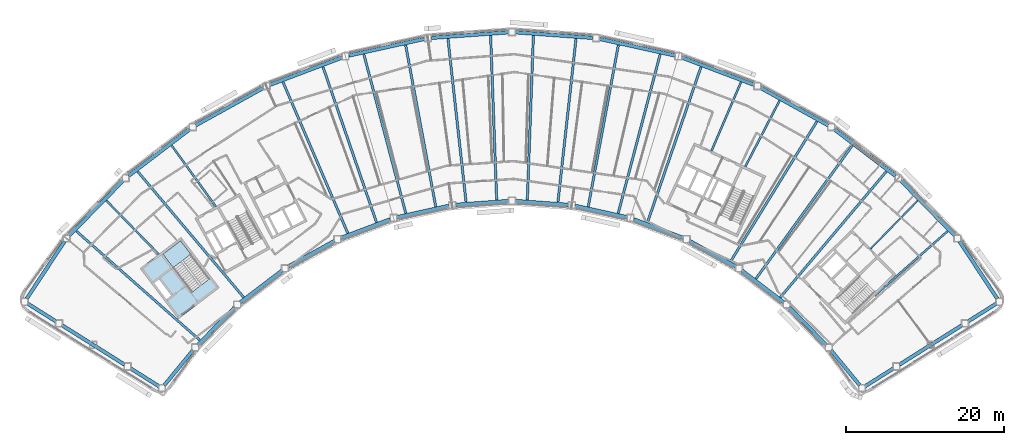
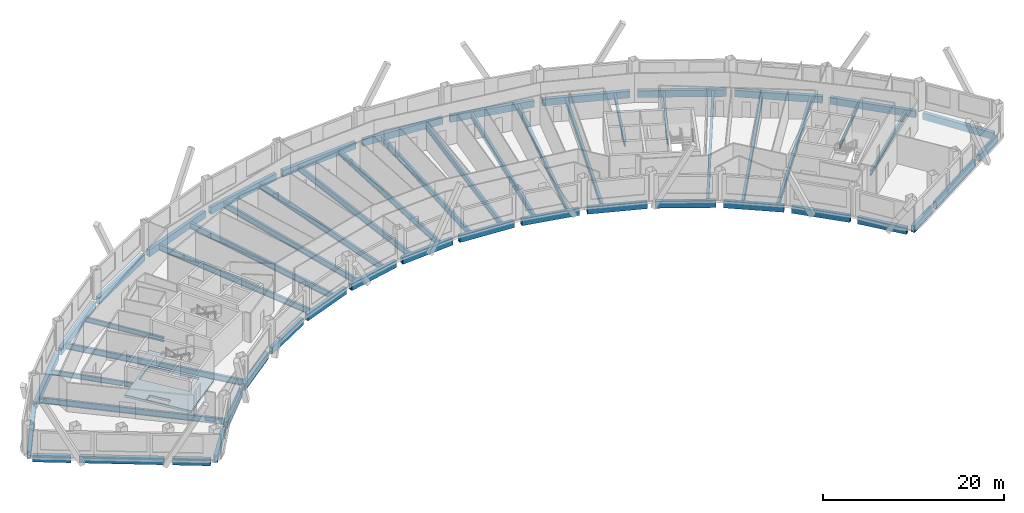
# One storey, part 3 of 14: 56 beams, 2 slabs, 1 element without a shape of its own.
"""IFC4 building model written with IfcOpenShell, lengths in metres."""

from ifc_helpers import new_model, si_unit, direction, frame, origin, origin_2d, place, context, subcontext, project, spatial, polyline, hollow_rectangle, i_section, outline, extrude, material, layer, layer_set, material_profile, profile_set, type_object, element, aggregate, save


model = new_model("IFC4")

# Units and contexts
model_context = context("Model", 3, precision=1e-05, world=origin(), true_north=direction((0.0, 1.0)))
body_context = subcontext(model_context, "Body", "Model", "MODEL_VIEW")
ifc_project = project(units=[si_unit("LENGTHUNIT", "METRE"), si_unit("AREAUNIT", "SQUARE_METRE"), si_unit("VOLUMEUNIT", "CUBIC_METRE"), si_unit("PLANEANGLEUNIT", "RADIAN"), si_unit("MASSUNIT", "GRAM", prefix="KILO")], contexts=[model_context])

# Site, building, storey
site_placement = place(None, origin())
site = spatial("IfcSite", under=ifc_project, at=site_placement, CompositionType="ELEMENT")
building_placement = place(site_placement, origin())
building = spatial("IfcBuilding", under=site, at=building_placement, Name="Tuul Gate Civic Tower", CompositionType="ELEMENT")
storey_placement = place(building_placement, frame((0.0, 0.0, 217.89990234375)))
storey = spatial("IfcBuildingStorey", under=building, at=storey_placement, Name="Level 49", CompositionType="ELEMENT", Elevation=217.89990234375)

# Beams
ifc_material_1 = material(Name="Steel S355", Category="steel")
ifc_material_profile_1 = material_profile(ifc_material_1, i_section(OverallWidth=0.199951171875, OverallDepth=0.5, WebThickness=0.010009765625, FlangeThickness=0.01611328125, at=origin_2d()), Name="PG500x200x10x16")
ifc_profile_set_1 = profile_set([ifc_material_profile_1], Name="Steel S355")
beam_type_1 = type_object("IfcBeamType", Name="STR-FLOOR BEAM-PG500x200x10x16", PredefinedType="BEAM", material=ifc_profile_set_1)
beam_1_placement = place(storey_placement, frame((51.3310546875, -8.854248046875, -0.5498046875), z_axis=(0.698691017766, 0.715423554052, 0.0), x_axis=(-0.715423554052, 0.698691017766, 0.0)))
element("IfcBeam", 1, at=beam_1_placement, inside=storey, type_object=beam_type_1, Name="Floor beam", PredefinedType="BEAM", context=body_context, shape_type="SweptSolid", body=[
    extrude(i_section(OverallWidth=0.199951171875, OverallDepth=0.5, WebThickness=0.010009765625, FlangeThickness=0.01611328125, at=origin_2d()), origin(), (0.0, 0.0, 1.0), 8.50634765625),
])
ifc_material_2 = material(Name="Steel S355", Category="steel")
ifc_material_profile_2 = material_profile(ifc_material_2, i_section(OverallWidth=0.25, OverallDepth=0.64990234375, WebThickness=0.011962890625, FlangeThickness=0.02001953125, at=origin_2d()), Name="PG650x250x12x20")
ifc_profile_set_2 = profile_set([ifc_material_profile_2], Name="Steel S355")
beam_type_2 = type_object("IfcBeamType", Name="STR-FLOOR BEAM-PG650x250x12x20", PredefinedType="BEAM", material=ifc_profile_set_2)
beam_2_placement = place(storey_placement, frame((51.833740234375, -14.790771484375, -0.625), z_axis=(0.749448461943, 0.662062688037, 0.0), x_axis=(-0.662062688037, 0.749448461943, 0.0)))
element("IfcBeam", 2, at=beam_2_placement, inside=storey, type_object=beam_type_2, Name="Floor beam", PredefinedType="BEAM", context=body_context, shape_type="SweptSolid", body=[
    extrude(i_section(OverallWidth=0.25, OverallDepth=0.64990234375, WebThickness=0.011962890625, FlangeThickness=0.02001953125, at=origin_2d()), origin(), (0.0, 0.0, 1.0), 12.31787109375),
])
beam_3_placement = place(storey_placement, frame((35.4609375, 1.528564453125, -0.625), z_axis=(0.460792486789, 0.887507906511, 0.0), x_axis=(-0.887507906511, 0.460792486789, 0.0)))
element("IfcBeam", 3, at=beam_3_placement, inside=storey, type_object=beam_type_2, Name="Floor beam", PredefinedType="BEAM", context=body_context, shape_type="SweptSolid", body=[
    extrude(i_section(OverallWidth=0.25, OverallDepth=0.64990234375, WebThickness=0.011962890625, FlangeThickness=0.02001953125, at=origin_2d()), origin(), (0.0, 0.0, 1.0), 9.4140625),
])
beam_4_placement = place(storey_placement, frame((31.184814453125, 3.5224609375, -0.625), z_axis=(0.394202008704, 0.919023817066, 0.0), x_axis=(-0.919023817066, 0.394202008704, 0.0)))
element("IfcBeam", 4, at=beam_4_placement, inside=storey, type_object=beam_type_2, Name="Floor beam", PredefinedType="BEAM", context=body_context, shape_type="SweptSolid", body=[
    extrude(i_section(OverallWidth=0.25, OverallDepth=0.64990234375, WebThickness=0.011962890625, FlangeThickness=0.02001953125, at=origin_2d()), origin(), (0.0, 0.0, 1.0), 9.48388671875),
])
beam_5_placement = place(storey_placement, frame((-31.535888671875, -3.523193359375, -0.625), z_axis=(-0.586084023539, 0.810250280686, 0.0), x_axis=(-0.810250280686, -0.586084023539, 0.0)))
element("IfcBeam", 5, at=beam_5_placement, inside=storey, type_object=beam_type_2, Name="Floor beam", PredefinedType="BEAM", context=body_context, shape_type="SweptSolid", body=[
    extrude(i_section(OverallWidth=0.25, OverallDepth=0.64990234375, WebThickness=0.011962890625, FlangeThickness=0.02001953125, at=origin_2d()), origin(), (0.0, 0.0, 1.0), 9.53515625),
])
beam_6_placement = place(storey_placement, frame((-38.757568359375, -9.564697265625, -0.625), z_axis=(-0.698678959674, 0.715435329928, 0.0), x_axis=(-0.715435329928, -0.698678959674, 0.0)))
element("IfcBeam", 6, at=beam_6_placement, inside=storey, type_object=beam_type_2, Name="Floor beam", PredefinedType="BEAM", context=body_context, shape_type="SweptSolid", body=[
    extrude(i_section(OverallWidth=0.25, OverallDepth=0.64990234375, WebThickness=0.011962890625, FlangeThickness=0.02001953125, at=origin_2d()), origin(), (0.0, 0.0, 1.0), 9.499755859375),
])
ifc_material_3 = material(Name="Steel S355", Category="steel")
ifc_material_profile_3 = material_profile(ifc_material_3, i_section(OverallWidth=0.300048828125, OverallDepth=0.800048828125, WebThickness=0.013916015625, FlangeThickness=0.02490234375, at=origin_2d()), Name="PG800x300x14x25")
ifc_profile_set_3 = profile_set([ifc_material_profile_3], Name="Steel S355")
beam_type_3 = type_object("IfcBeamType", Name="STR-FLOOR BEAM-PG800x300x14x25", PredefinedType="BEAM", material=ifc_profile_set_3)
beam_7_placement = place(storey_placement, frame((39.8974609375, -15.008056640625, -0.699951171875), z_axis=(0.644132135775, 0.764914238109, 0.0), x_axis=(-0.764914238109, 0.644132135775, 0.0)))
element("IfcBeam", 7, at=beam_7_placement, inside=storey, type_object=beam_type_3, Name="Floor beam", PredefinedType="BEAM", context=body_context, shape_type="SweptSolid", body=[
    extrude(i_section(OverallWidth=0.300048828125, OverallDepth=0.800048828125, WebThickness=0.013916015625, FlangeThickness=0.02490234375, at=origin_2d()), origin(), (0.0, 0.0, 1.0), 20.82568359375),
])
beam_8_placement = place(storey_placement, frame((36.80908203125, -12.656494140625, -0.699951171875), z_axis=(0.586087172263, 0.810248003089, 0.0), x_axis=(-0.810248003089, 0.586087172263, 0.0)))
element("IfcBeam", 8, at=beam_8_placement, inside=storey, type_object=beam_type_3, Name="Floor beam", PredefinedType="BEAM", context=body_context, shape_type="SweptSolid", body=[
    extrude(i_section(OverallWidth=0.300048828125, OverallDepth=0.800048828125, WebThickness=0.013916015625, FlangeThickness=0.02490234375, at=origin_2d()), origin(), (0.0, 0.0, 1.0), 20.806884765625),
])
beam_9_placement = place(storey_placement, frame((33.605712890625, -10.46533203125, -0.699951171875), z_axis=(0.524856706834, 0.851190599861, 0.0), x_axis=(-0.851190599861, 0.524856706834, 0.0)))
element("IfcBeam", 9, at=beam_9_placement, inside=storey, type_object=beam_type_3, Name="Floor beam", PredefinedType="BEAM", context=body_context, shape_type="SweptSolid", body=[
    extrude(i_section(OverallWidth=0.300048828125, OverallDepth=0.800048828125, WebThickness=0.013916015625, FlangeThickness=0.02490234375, at=origin_2d()), origin(), (0.0, 0.0, 1.0), 20.82275390625),
])
beam_10_placement = place(storey_placement, frame((23.0859375, -5.52294921875, -0.699951171875), z_axis=(0.325486974479, 0.945546524209, 0.0), x_axis=(-0.945546524209, 0.325486974479, 0.0)))
element("IfcBeam", 10, at=beam_10_placement, inside=storey, type_object=beam_type_3, Name="Floor beam", PredefinedType="BEAM", context=body_context, shape_type="SweptSolid", body=[
    extrude(i_section(OverallWidth=0.300048828125, OverallDepth=0.800048828125, WebThickness=0.013916015625, FlangeThickness=0.02490234375, at=origin_2d()), origin(), (0.0, 0.0, 1.0), 20.809326171875),
])
beam_11_placement = place(storey_placement, frame((19.37841796875, -4.3759765625, -0.699951171875), z_axis=(0.255007612054, 0.966939045542, 0.0), x_axis=(-0.966939045542, 0.255007612054, 0.0)))
element("IfcBeam", 11, at=beam_11_placement, inside=storey, type_object=beam_type_3, Name="Floor beam", PredefinedType="BEAM", context=body_context, shape_type="SweptSolid", body=[
    extrude(i_section(OverallWidth=0.300048828125, OverallDepth=0.800048828125, WebThickness=0.013916015625, FlangeThickness=0.02490234375, at=origin_2d()), origin(), (0.0, 0.0, 1.0), 20.8173828125),
])
beam_12_placement = place(storey_placement, frame((15.58837890625, -3.540771484375, -0.699951171875), z_axis=(0.1831360046, 0.983087587054, 0.0), x_axis=(-0.983087587054, 0.1831360046, 0.0)))
element("IfcBeam", 12, at=beam_12_placement, inside=storey, type_object=beam_type_3, Name="Floor beam", PredefinedType="BEAM", context=body_context, shape_type="SweptSolid", body=[
    extrude(i_section(OverallWidth=0.300048828125, OverallDepth=0.800048828125, WebThickness=0.013916015625, FlangeThickness=0.02490234375, at=origin_2d()), origin(), (0.0, 0.0, 1.0), 20.811279296875),
])
beam_13_placement = place(storey_placement, frame((11.7509765625, -2.960693359375, -0.699951171875), z_axis=(0.110288630292, 0.993899601584, 0.0), x_axis=(-0.993899601584, 0.110288630292, 0.0)))
element("IfcBeam", 13, at=beam_13_placement, inside=storey, type_object=beam_type_3, Name="Floor beam", PredefinedType="BEAM", context=body_context, shape_type="SweptSolid", body=[
    extrude(i_section(OverallWidth=0.300048828125, OverallDepth=0.800048828125, WebThickness=0.013916015625, FlangeThickness=0.02490234375, at=origin_2d()), origin(), (0.0, 0.0, 1.0), 20.81494140625),
])
for number, where, z_axis, x_axis, name in (
    (14, (7.880126953125, -2.679931640625, -0.699951171875), (0.036833774102, 0.999321406298, 0.0), (-0.999321406298, 0.036833774102, 0.0), "Floor beam"),
    (15, (3.99951171875, -2.679931640625, -0.699951171875), (-0.036833774102, 0.999321406298, 0.0), (-0.999321406298, -0.036833774102, 0.0), "Floor beam"),
):
    element("IfcBeam", number, at=place(storey_placement, frame(where, z_axis=z_axis, x_axis=x_axis)), inside=storey, type_object=beam_type_3, Name=name, PredefinedType="BEAM", context=body_context, shape_type="SweptSolid", body=[
        extrude(i_section(OverallWidth=0.300048828125, OverallDepth=0.800048828125, WebThickness=0.013916015625, FlangeThickness=0.02490234375, at=origin_2d()), origin(), (0.0, 0.0, 1.0), 20.8125),
    ])
beam_14_placement = place(storey_placement, frame((0.128662109375, -2.960693359375, -0.699951171875), z_axis=(-0.110287344613, 0.993899744249, 0.0), x_axis=(-0.993899744249, -0.110287344613, 0.0)))
element("IfcBeam", 16, at=beam_14_placement, inside=storey, type_object=beam_type_3, Name="Floor beam", PredefinedType="BEAM", context=body_context, shape_type="SweptSolid", body=[
    extrude(i_section(OverallWidth=0.300048828125, OverallDepth=0.800048828125, WebThickness=0.013916015625, FlangeThickness=0.02490234375, at=origin_2d()), origin(), (0.0, 0.0, 1.0), 20.815185546875),
])
beam_15_placement = place(storey_placement, frame((-3.708740234375, -3.540771484375, -0.699951171875), z_axis=(-0.183133892551, 0.983087980498, 0.0), x_axis=(-0.983087980498, -0.183133892551, 0.0)))
element("IfcBeam", 17, at=beam_15_placement, inside=storey, type_object=beam_type_3, Name="Floor beam", PredefinedType="BEAM", context=body_context, shape_type="SweptSolid", body=[
    extrude(i_section(OverallWidth=0.300048828125, OverallDepth=0.800048828125, WebThickness=0.013916015625, FlangeThickness=0.02490234375, at=origin_2d()), origin(), (0.0, 0.0, 1.0), 20.8115234375),
])
beam_16_placement = place(storey_placement, frame((-7.498779296875, -4.3759765625, -0.699951171875), z_axis=(-0.255004720301, 0.96693980817, 0.0), x_axis=(-0.96693980817, -0.255004720301, 0.0)))
element("IfcBeam", 18, at=beam_16_placement, inside=storey, type_object=beam_type_3, Name="Floor beam", PredefinedType="BEAM", context=body_context, shape_type="SweptSolid", body=[
    extrude(i_section(OverallWidth=0.300048828125, OverallDepth=0.800048828125, WebThickness=0.013916015625, FlangeThickness=0.02490234375, at=origin_2d()), origin(), (0.0, 0.0, 1.0), 20.817626953125),
])
beam_17_placement = place(storey_placement, frame((-11.20654296875, -5.522705078125, -0.699951171875), z_axis=(-0.325476485131, 0.945550134909, 0.0), x_axis=(-0.945550134909, -0.325476485131, 0.0)))
element("IfcBeam", 19, at=beam_17_placement, inside=storey, type_object=beam_type_3, Name="Floor beam", PredefinedType="BEAM", context=body_context, shape_type="SweptSolid", body=[
    extrude(i_section(OverallWidth=0.300048828125, OverallDepth=0.800048828125, WebThickness=0.013916015625, FlangeThickness=0.02490234375, at=origin_2d()), origin(), (0.0, 0.0, 1.0), 20.809326171875),
])
beam_18_placement = place(storey_placement, frame((-14.836669921875, -6.895263671875, -0.699951171875), z_axis=(-0.394196672068, 0.91902610612, 0.0), x_axis=(-0.91902610612, -0.394196672068, 0.0)))
element("IfcBeam", 20, at=beam_18_placement, inside=storey, type_object=beam_type_3, Name="Floor beam", PredefinedType="BEAM", context=body_context, shape_type="SweptSolid", body=[
    extrude(i_section(OverallWidth=0.300048828125, OverallDepth=0.800048828125, WebThickness=0.013916015625, FlangeThickness=0.02490234375, at=origin_2d()), origin(), (0.0, 0.0, 1.0), 20.819580078125),
])
beam_19_placement = place(storey_placement, frame((-28.017822265625, -15.0078125, -0.699951171875), z_axis=(-0.644126359816, 0.764919101991, 0.0), x_axis=(-0.764919101991, -0.644126359816, 0.0)))
element("IfcBeam", 21, at=beam_19_placement, inside=storey, type_object=beam_type_3, Name="Floor beam", PredefinedType="BEAM", context=body_context, shape_type="SweptSolid", body=[
    extrude(i_section(OverallWidth=0.300048828125, OverallDepth=0.800048828125, WebThickness=0.013916015625, FlangeThickness=0.02490234375, at=origin_2d()), origin(), (0.0, 0.0, 1.0), 20.825927734375),
])
beam_20_placement = place(storey_placement, frame((-33.57568359375, -20.42529296875, -0.699951171875), z_axis=(-0.749447427269, 0.662063859277, 0.0), x_axis=(-0.662063859277, -0.749447427269, 0.0)))
element("IfcBeam", 22, at=beam_20_placement, inside=storey, type_object=beam_type_3, Name="Floor beam", PredefinedType="BEAM", context=body_context, shape_type="SweptSolid", body=[
    extrude(i_section(OverallWidth=0.300048828125, OverallDepth=0.800048828125, WebThickness=0.013916015625, FlangeThickness=0.02490234375, at=origin_2d()), origin(), (0.0, 0.0, 1.0), 20.82861328125),
])
ifc_material_4 = material(Name="Steel S355", Category="steel")
ifc_material_profile_4 = material_profile(ifc_material_4, hollow_rectangle(XDim=0.449951171875, YDim=0.89990234375, WallThickness=0.02490234375, at=origin_2d()), Name="BOX900x450x25")
ifc_profile_set_4 = profile_set([ifc_material_profile_4], Name="Steel S355")
beam_type_4 = type_object("IfcBeamType", Name="STR-SPANDREL BEAM-BOX900x450x25", PredefinedType="BEAM", material=ifc_profile_set_4)
beam_21_placement = place(storey_placement, frame((67.36279296875, -15.187744140625, -0.75), z_axis=(-0.551583824499, 0.834119466594, 0.0), x_axis=(-0.834119466594, -0.551583824499, 0.0)))
element("IfcBeam", 23, at=beam_21_placement, inside=storey, type_object=beam_type_4, Name="Spandrel beam", PredefinedType="BEAM", context=body_context, shape_type="SweptSolid", body=[
    extrude(hollow_rectangle(XDim=0.449951171875, YDim=0.89990234375, WallThickness=0.02490234375, at=origin_2d()), origin(), (0.0, 0.0, 1.0), 8.706787109375),
])
beam_22_placement = place(storey_placement, frame((61.9970703125, -7.228759765625, -0.75), z_axis=(-0.700043201451, 0.7141004944, 0.0), x_axis=(-0.7141004944, -0.700043201451, 0.0)))
element("IfcBeam", 24, at=beam_22_placement, inside=storey, type_object=beam_type_4, Name="Spandrel beam", PredefinedType="BEAM", context=body_context, shape_type="SweptSolid", body=[
    extrude(hollow_rectangle(XDim=0.449951171875, YDim=0.89990234375, WallThickness=0.02490234375, at=origin_2d()), origin(), (0.0, 0.0, 1.0), 9.77783203125),
])
beam_23_placement = place(storey_placement, frame((54.47900390625, 0.34765625, -0.75), z_axis=(-0.795631153365, 0.605781369634, 0.0), x_axis=(-0.605781369634, -0.795631153365, 0.0)))
element("IfcBeam", 25, at=beam_23_placement, inside=storey, type_object=beam_type_4, Name="Spandrel beam", PredefinedType="BEAM", context=body_context, shape_type="SweptSolid", body=[
    extrude(hollow_rectangle(XDim=0.449951171875, YDim=0.89990234375, WallThickness=0.02490234375, at=origin_2d()), origin(), (0.0, 0.0, 1.0), 9.777099609375),
])
beam_24_placement = place(storey_placement, frame((45.948486328125, 6.76123046875, -0.75), z_axis=(-0.874650322207, 0.48475438509, 0.0), x_axis=(-0.48475438509, -0.874650322207, 0.0)))
element("IfcBeam", 26, at=beam_24_placement, inside=storey, type_object=beam_type_4, Name="Spandrel beam", PredefinedType="BEAM", context=body_context, shape_type="SweptSolid", body=[
    extrude(hollow_rectangle(XDim=0.449951171875, YDim=0.89990234375, WallThickness=0.02490234375, at=origin_2d()), origin(), (0.0, 0.0, 1.0), 9.777587890625),
])
for number, where, z_axis, x_axis, name in (
    (27, (36.58203125, 11.878173828125, -0.75), (-0.935338294107, 0.353754541423, 0.0), (-0.353754541423, -0.935338294107, 0.0), "Spandrel beam"),
    (28, (26.57666015625, 15.5927734375, -0.75), (-0.976560449923, 0.215243321955, 0.0), (-0.215243321955, -0.976560449923, 0.0), "Spandrel beam"),
):
    element("IfcBeam", number, at=place(storey_placement, frame(where, z_axis=z_axis, x_axis=x_axis)), inside=storey, type_object=beam_type_4, Name=name, PredefinedType="BEAM", context=body_context, shape_type="SweptSolid", body=[
        extrude(hollow_rectangle(XDim=0.449951171875, YDim=0.89990234375, WallThickness=0.02490234375, at=origin_2d()), origin(), (0.0, 0.0, 1.0), 9.77734375),
    ])
beam_25_placement = place(storey_placement, frame((16.14013671875, 17.826416015625, -0.75), z_axis=(-0.997388890217, 0.072217737926, 0.0), x_axis=(-0.072217737926, -0.997388890217, 0.0)))
element("IfcBeam", 29, at=beam_25_placement, inside=storey, type_object=beam_type_4, Name="Spandrel beam", PredefinedType="BEAM", context=body_context, shape_type="SweptSolid", body=[
    extrude(hollow_rectangle(XDim=0.449951171875, YDim=0.89990234375, WallThickness=0.02490234375, at=origin_2d()), origin(), (0.0, 0.0, 1.0), 9.77685546875),
])
beam_26_placement = place(storey_placement, frame((5.4912109375, 18.532470703125, -0.75), z_axis=(-0.997389541279, -0.072208745641, 0.0), x_axis=(0.072208745641, -0.997389541279, 0.0)))
element("IfcBeam", 30, at=beam_26_placement, inside=storey, type_object=beam_type_4, Name="Spandrel beam", PredefinedType="BEAM", context=body_context, shape_type="SweptSolid", body=[
    extrude(hollow_rectangle(XDim=0.449951171875, YDim=0.89990234375, WallThickness=0.02490234375, at=origin_2d()), origin(), (0.0, 0.0, 1.0), 9.778076171875),
])
for number, where, z_axis, x_axis, name in (
    (31, (-5.1494140625, 17.697265625, -0.75), (-0.976560449923, -0.215243321955, 0.0), (0.215243321955, -0.976560449923, 0.0), "Spandrel beam"),
    (32, (-15.557861328125, 15.3369140625, -0.75), (-0.93534141884, -0.353746279418, 0.0), (0.353746279418, -0.93534141884, 0.0), "Spandrel beam"),
    (33, (-25.517578125, 11.5009765625, -0.75), (-0.874644454553, -0.484764972042, 0.0), (0.484764972042, -0.874644454553, 0.0), "Spandrel beam"),
):
    element("IfcBeam", number, at=place(storey_placement, frame(where, z_axis=z_axis, x_axis=x_axis)), inside=storey, type_object=beam_type_4, Name=name, PredefinedType="BEAM", context=body_context, shape_type="SweptSolid", body=[
        extrude(hollow_rectangle(XDim=0.449951171875, YDim=0.89990234375, WallThickness=0.02490234375, at=origin_2d()), origin(), (0.0, 0.0, 1.0), 9.77734375),
    ])
for number, where, z_axis, x_axis, name in (
    (34, (-34.821044921875, 6.2705078125, -0.75), (-0.795621989686, -0.605793404989, 0.0), (0.605793404989, -0.795621989686, 0.0), "Spandrel beam"),
    (35, (-43.27294921875, -0.246337890625, -0.75), (-0.700004749071, -0.714138187803, 0.0), (0.714138187803, -0.700004749071, 0.0), "Spandrel beam"),
):
    element("IfcBeam", number, at=place(storey_placement, frame(where, z_axis=z_axis, x_axis=x_axis)), inside=storey, type_object=beam_type_4, Name=name, PredefinedType="BEAM", context=body_context, shape_type="SweptSolid", body=[
        extrude(hollow_rectangle(XDim=0.449951171875, YDim=0.89990234375, WallThickness=0.02490234375, at=origin_2d()), origin(), (0.0, 0.0, 1.0), 9.777099609375),
    ])
beam_27_placement = place(storey_placement, frame((-50.68017578125, -7.92529296875, -0.75), z_axis=(-0.551583824499, -0.834119466594, 0.0), x_axis=(0.834119466594, -0.551583824499, 0.0)))
element("IfcBeam", 36, at=beam_27_placement, inside=storey, type_object=beam_type_4, Name="Spandrel beam", PredefinedType="BEAM", context=body_context, shape_type="SweptSolid", body=[
    extrude(hollow_rectangle(XDim=0.449951171875, YDim=0.89990234375, WallThickness=0.02490234375, at=origin_2d()), origin(), (0.0, 0.0, 1.0), 8.706787109375),
])
beam_28_placement = place(storey_placement, frame((-55.35009765625, -15.802734375, -0.75), z_axis=(0.846220312891, -0.532833165307, 0.0), x_axis=(0.532833165307, 0.846220312891, 0.0)))
element("IfcBeam", 37, at=beam_28_placement, inside=storey, type_object=beam_type_4, Name="Spandrel beam", PredefinedType="BEAM", context=body_context, shape_type="SweptSolid", body=[
    extrude(hollow_rectangle(XDim=0.449951171875, YDim=0.89990234375, WallThickness=0.02490234375, at=origin_2d()), origin(), (0.0, 0.0, 1.0), 4.23095703125),
])
beam_29_placement = place(storey_placement, frame((-51.00830078125, -18.536865234375, -0.75), z_axis=(0.84616970281, -0.532913533367, 0.0), x_axis=(0.532913533367, 0.84616970281, 0.0)))
element("IfcBeam", 38, at=beam_29_placement, inside=storey, type_object=beam_type_4, Name="Spandrel beam", PredefinedType="BEAM", context=body_context, shape_type="SweptSolid", body=[
    extrude(hollow_rectangle(XDim=0.449951171875, YDim=0.89990234375, WallThickness=0.02490234375, at=origin_2d()), origin(), (0.0, 0.0, 1.0), 9.364013671875),
])
beam_30_placement = place(storey_placement, frame((-42.3232421875, -24.0068359375, -0.75), z_axis=(0.846285824254, -0.532729109085, 0.0), x_axis=(0.532729109085, 0.846285824254, 0.0)))
element("IfcBeam", 39, at=beam_30_placement, inside=storey, type_object=beam_type_4, Name="Spandrel beam", PredefinedType="BEAM", context=body_context, shape_type="SweptSolid", body=[
    extrude(hollow_rectangle(XDim=0.449951171875, YDim=0.89990234375, WallThickness=0.02490234375, at=origin_2d()), origin(), (0.0, 0.0, 1.0), 4.231689453125),
])
beam_31_placement = place(storey_placement, frame((-38.075439453125, -26.153076171875, -0.75), z_axis=(0.634388157307, 0.773014660837, 0.0), x_axis=(-0.773014660837, 0.634388157307, 0.0)))
element("IfcBeam", 40, at=beam_31_placement, inside=storey, type_object=beam_type_4, Name="Spandrel beam", PredefinedType="BEAM", context=body_context, shape_type="SweptSolid", body=[
    extrude(hollow_rectangle(XDim=0.449951171875, YDim=0.89990234375, WallThickness=0.02490234375, at=origin_2d()), origin(), (0.0, 0.0, 1.0), 5.751953125),
])
beam_32_placement = place(storey_placement, frame((-33.825927734375, -21.03759765625, -0.75), z_axis=(0.700011215993, 0.71413184881, 0.0), x_axis=(-0.71413184881, 0.700011215993, 0.0)))
element("IfcBeam", 41, at=beam_32_placement, inside=storey, type_object=beam_type_4, Name="Spandrel beam", PredefinedType="BEAM", context=body_context, shape_type="SweptSolid", body=[
    extrude(hollow_rectangle(XDim=0.449951171875, YDim=0.89990234375, WallThickness=0.02490234375, at=origin_2d()), origin(), (0.0, 0.0, 1.0), 6.691162109375),
])
beam_33_placement = place(storey_placement, frame((-28.468994140625, -15.665283203125, -0.75), z_axis=(0.795622636526, 0.605792555458, 0.0), x_axis=(-0.605792555458, 0.795622636526, 0.0)))
element("IfcBeam", 42, at=beam_33_placement, inside=storey, type_object=beam_type_4, Name="Spandrel beam", PredefinedType="BEAM", context=body_context, shape_type="SweptSolid", body=[
    extrude(hollow_rectangle(XDim=0.449951171875, YDim=0.89990234375, WallThickness=0.02490234375, at=origin_2d()), origin(), (0.0, 0.0, 1.0), 6.691650390625),
])
beam_34_placement = place(storey_placement, frame((-22.393310546875, -11.120849609375, -0.75), z_axis=(0.874595742166, 0.484852851683, 0.0), x_axis=(-0.484852851683, 0.874595742166, 0.0)))
element("IfcBeam", 43, at=beam_34_placement, inside=storey, type_object=beam_type_4, Name="Spandrel beam", PredefinedType="BEAM", context=body_context, shape_type="SweptSolid", body=[
    extrude(hollow_rectangle(XDim=0.449951171875, YDim=0.89990234375, WallThickness=0.02490234375, at=origin_2d()), origin(), (0.0, 0.0, 1.0), 6.69189453125),
])
beam_35_placement = place(storey_placement, frame((-15.72607421875, -7.498779296875, -0.75), z_axis=(0.935369130225, 0.353672999001, 0.0), x_axis=(-0.353672999001, 0.935369130225, 0.0)))
element("IfcBeam", 44, at=beam_35_placement, inside=storey, type_object=beam_type_4, Name="Spandrel beam", PredefinedType="BEAM", context=body_context, shape_type="SweptSolid", body=[
    extrude(hollow_rectangle(XDim=0.449951171875, YDim=0.89990234375, WallThickness=0.02490234375, at=origin_2d()), origin(), (0.0, 0.0, 1.0), 6.691650390625),
])
for number, where, z_axis, x_axis, name in (
    (45, (-8.6064453125, -4.876220703125, -0.75), (0.976558183094, 0.215253606316, 0.0), (-0.215253606316, 0.976558183094, 0.0), "Spandrel beam"),
    (46, (-1.18310546875, -3.306396484375, -0.75), (0.997382203544, 0.07231002734, 0.0), (-0.07231002734, 0.997382203544, 0.0), "Spandrel beam"),
    (47, (6.388916015625, -2.822509765625, -0.75), (0.997382203544, -0.07231002734, 0.0), (0.07231002734, 0.997382203544, 0.0), "Spandrel beam"),
):
    element("IfcBeam", number, at=place(storey_placement, frame(where, z_axis=z_axis, x_axis=x_axis)), inside=storey, type_object=beam_type_4, Name=name, PredefinedType="BEAM", context=body_context, shape_type="SweptSolid", body=[
        extrude(hollow_rectangle(XDim=0.449951171875, YDim=0.89990234375, WallThickness=0.02490234375, at=origin_2d()), origin(), (0.0, 0.0, 1.0), 6.69189453125),
    ])
beam_36_placement = place(storey_placement, frame((13.951416015625, -3.435791015625, -0.75), z_axis=(0.976553110966, -0.215276616152, 0.0), x_axis=(0.215276616152, 0.976553110966, 0.0)))
element("IfcBeam", 48, at=beam_36_placement, inside=storey, type_object=beam_type_4, Name="Spandrel beam", PredefinedType="BEAM", context=body_context, shape_type="SweptSolid", body=[
    extrude(hollow_rectangle(XDim=0.449951171875, YDim=0.89990234375, WallThickness=0.02490234375, at=origin_2d()), origin(), (0.0, 0.0, 1.0), 6.691162109375),
])
beam_37_placement = place(storey_placement, frame((21.345947265625, -5.132080078125, -0.75), z_axis=(0.935364566442, -0.353685068732, 0.0), x_axis=(0.353685068732, 0.935364566442, 0.0)))
element("IfcBeam", 49, at=beam_37_placement, inside=storey, type_object=beam_type_4, Name="Spandrel beam", PredefinedType="BEAM", context=body_context, shape_type="SweptSolid", body=[
    extrude(hollow_rectangle(XDim=0.449951171875, YDim=0.89990234375, WallThickness=0.02490234375, at=origin_2d()), origin(), (0.0, 0.0, 1.0), 6.691650390625),
])
beam_38_placement = place(storey_placement, frame((28.419677734375, -7.876220703125, -0.75), z_axis=(0.874595742166, -0.484852851683, 0.0), x_axis=(0.484852851683, 0.874595742166, 0.0)))
element("IfcBeam", 50, at=beam_38_placement, inside=storey, type_object=beam_type_4, Name="Spandrel beam", PredefinedType="BEAM", context=body_context, shape_type="SweptSolid", body=[
    extrude(hollow_rectangle(XDim=0.449951171875, YDim=0.89990234375, WallThickness=0.02490234375, at=origin_2d()), origin(), (0.0, 0.0, 1.0), 6.69189453125),
])
beam_39_placement = place(storey_placement, frame((35.02392578125, -11.611572265625, -0.75), z_axis=(0.795622636526, -0.605792555458, 0.0), x_axis=(0.605792555458, 0.795622636526, 0.0)))
element("IfcBeam", 51, at=beam_39_placement, inside=storey, type_object=beam_type_4, Name="Spandrel beam", PredefinedType="BEAM", context=body_context, shape_type="SweptSolid", body=[
    extrude(hollow_rectangle(XDim=0.449951171875, YDim=0.89990234375, WallThickness=0.02490234375, at=origin_2d()), origin(), (0.0, 0.0, 1.0), 6.691650390625),
])
beam_40_placement = place(storey_placement, frame((41.02099609375, -16.25927734375, -0.75), z_axis=(0.700104238237, -0.714040654027, 0.0), x_axis=(0.714040654027, 0.700104238237, 0.0)))
element("IfcBeam", 52, at=beam_40_placement, inside=storey, type_object=beam_type_4, Name="Spandrel beam", PredefinedType="BEAM", context=body_context, shape_type="SweptSolid", body=[
    extrude(hollow_rectangle(XDim=0.449951171875, YDim=0.89990234375, WallThickness=0.02490234375, at=origin_2d()), origin(), (0.0, 0.0, 1.0), 6.69189453125),
])
beam_41_placement = place(storey_placement, frame((46.306396484375, -21.706787109375, -0.75), z_axis=(0.63441351957, -0.772993846151, 0.0), x_axis=(0.772993846151, 0.63441351957, 0.0)))
element("IfcBeam", 53, at=beam_41_placement, inside=storey, type_object=beam_type_4, Name="Spandrel beam", PredefinedType="BEAM", context=body_context, shape_type="SweptSolid", body=[
    extrude(hollow_rectangle(XDim=0.449951171875, YDim=0.89990234375, WallThickness=0.02490234375, at=origin_2d()), origin(), (0.0, 0.0, 1.0), 5.751953125),
])
beam_42_placement = place(storey_placement, frame((50.621826171875, -26.26123046875, -0.75), z_axis=(0.846220312891, 0.532833165307, 0.0), x_axis=(-0.532833165307, 0.846220312891, 0.0)))
element("IfcBeam", 54, at=beam_42_placement, inside=storey, type_object=beam_type_4, Name="Spandrel beam", PredefinedType="BEAM", context=body_context, shape_type="SweptSolid", body=[
    extrude(hollow_rectangle(XDim=0.449951171875, YDim=0.89990234375, WallThickness=0.02490234375, at=origin_2d()), origin(), (0.0, 0.0, 1.0), 4.23095703125),
])
beam_43_placement = place(storey_placement, frame((54.9638671875, -23.527099609375, -0.75), z_axis=(0.846162298174, 0.532925290401, 0.0), x_axis=(-0.532925290401, 0.846162298174, 0.0)))
element("IfcBeam", 55, at=beam_43_placement, inside=storey, type_object=beam_type_4, Name="Spandrel beam", PredefinedType="BEAM", context=body_context, shape_type="SweptSolid", body=[
    extrude(hollow_rectangle(XDim=0.449951171875, YDim=0.89990234375, WallThickness=0.02490234375, at=origin_2d()), origin(), (0.0, 0.0, 1.0), 9.36376953125),
])
beam_44_placement = place(storey_placement, frame((63.64892578125, -18.057373046875, -0.75), z_axis=(0.846259814063, 0.532770426264, 0.0), x_axis=(-0.532770426264, 0.846259814063, 0.0)))
element("IfcBeam", 56, at=beam_44_placement, inside=storey, type_object=beam_type_4, Name="Spandrel beam", PredefinedType="BEAM", context=body_context, shape_type="SweptSolid", body=[
    extrude(hollow_rectangle(XDim=0.449951171875, YDim=0.89990234375, WallThickness=0.02490234375, at=origin_2d()), origin(), (0.0, 0.0, 1.0), 4.23193359375),
])

# Slab
ifc_material_5 = material(Name="Concrete C40/50", Category="concrete")
ifc_layer_1 = layer(ifc_material_5, 0.300048828125)
ifc_layer_set_1 = layer_set([ifc_layer_1], Name="Concrete C40/50")
slab_type_1 = type_object("IfcSlabType", Name="Core floor slab 300", PredefinedType="FLOOR", material=ifc_layer_set_1)
slab_1_placement = place(storey_placement, frame((0.0, 0.0, -0.2998046875)))
element("IfcSlab", 57, at=slab_1_placement, inside=storey, type_object=slab_type_1, Name="FLOOR SLAB", PredefinedType="FLOOR", context=body_context, shape_type="SweptSolid", body=[
    extrude(outline(polyline([(-31.10009765625, -13.7890625), (-35.946044921875, -7.423828125), (-41.11767578125, -11.361572265625), (-36.271484375, -17.726806640625), (-31.10009765625, -13.7890625)]), holes=[polyline([(-37.19287109375, -14.783203125), (-38.737548828125, -12.75439453125), (-39.45361328125, -13.299560546875), (-37.908935546875, -15.328369140625), (-37.19287109375, -14.783203125)]), polyline([(-32.33935546875, -12.65771484375), (-34.56591796875, -14.352783203125), (-38.229736328125, -9.54052734375), (-36.003173828125, -7.845458984375), (-32.33935546875, -12.65771484375)])]), origin(), (0.0, 0.0, 1.0), 0.2998046875),
])

# Stair, slab
ifc_material_6 = material(Name="Concrete C40/50", Category="concrete")
stair_type = type_object("IfcStairType", Name="Exit stair", PredefinedType="HALF_TURN_STAIR", material=ifc_material_6)
stair_placement = place(storey_placement, origin())
stair = element("IfcStair", 58, at=stair_placement, inside=storey, type_object=stair_type, Name="Level 49 ST-1", PredefinedType="HALF_TURN_STAIR")
ifc_material_7 = material(Name="Concrete C40/50", Category="concrete")
ifc_layer_2 = layer(ifc_material_7, 0.199951171875)
ifc_layer_set_2 = layer_set([ifc_layer_2], Name="Concrete C40/50")
slab_type_2 = type_object("IfcSlabType", Name="Exit stair landing", PredefinedType="LANDING", material=ifc_layer_set_2)
slab_2_placement = place(storey_placement, frame((0.0, 0.0, 1.900146484375)))
slab_2 = element("IfcSlab", 59, at=slab_2_placement, type_object=slab_type_2, Name="ST-1 landing 1", PredefinedType="LANDING", context=body_context, shape_type="SweptSolid", body=[
    extrude(outline(polyline([(-34.699462890625, -9.554931640625), (-36.9287109375, -11.252197265625), (-38.23193359375, -9.540283203125), (-36.0029296875, -7.843017578125), (-34.699462890625, -9.554931640625)])), origin(), (0.0, 0.0, 1.0), 0.199951171875),
])
aggregate(stair, [slab_2])

save(model, "model.ifc")
